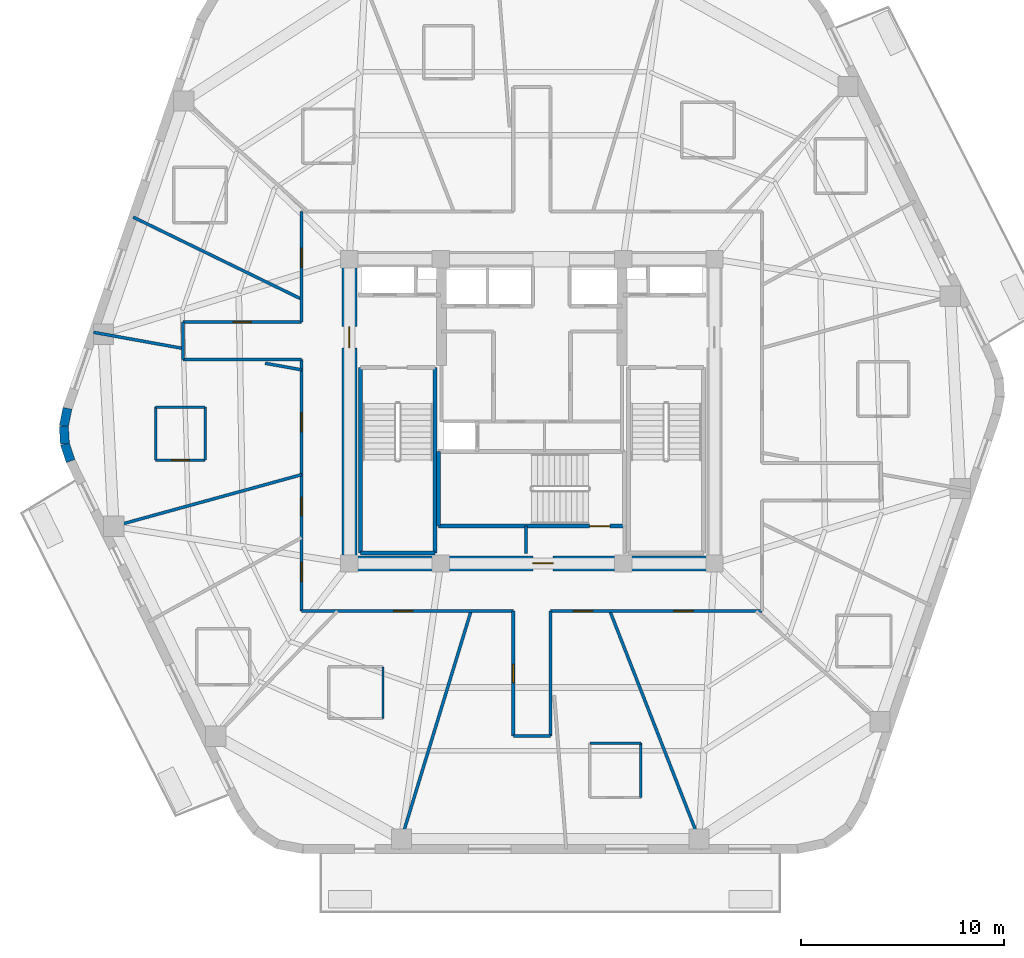
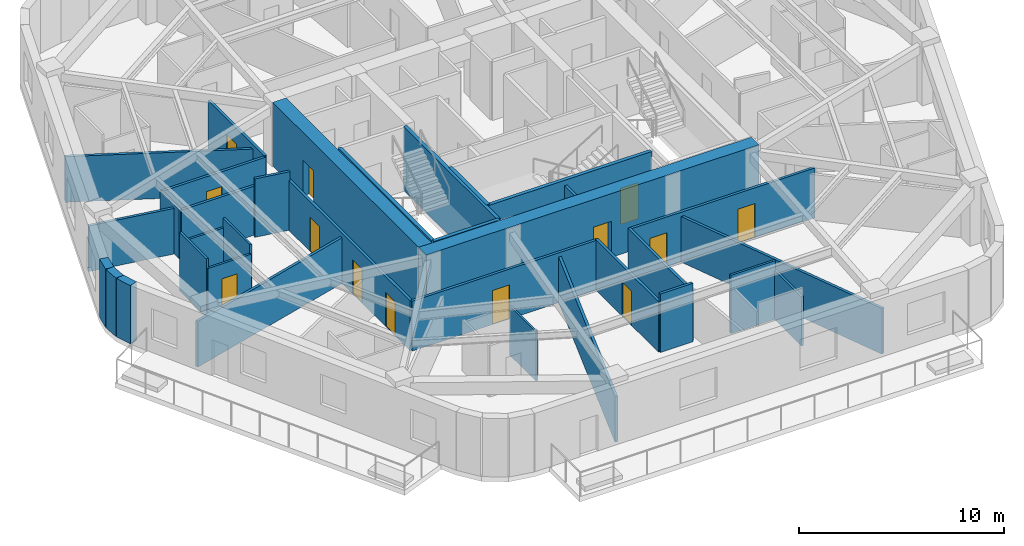
# One storey, part 3 of 10: 34 walls, 13 doors, 13 openings.
"""IFC4 building model written with IfcOpenShell, lengths in metres."""

from ifc_helpers import new_model, si_unit, direction, frame, frame_2d, origin, place, context, subcontext, project, spatial, rectangle, extrude, material, layer, layer_set, type_object, element, fill, save


model = new_model("IFC4")

# Units and contexts
model_context = context("Model", 3, precision=1e-05, world=origin(), true_north=direction((0.0, 1.0)))
body_context = subcontext(model_context, "Body", "Model", "MODEL_VIEW")
ifc_project = project(units=[si_unit("LENGTHUNIT", "METRE"), si_unit("AREAUNIT", "SQUARE_METRE"), si_unit("VOLUMEUNIT", "CUBIC_METRE"), si_unit("PLANEANGLEUNIT", "RADIAN"), si_unit("MASSUNIT", "GRAM", prefix="KILO")], contexts=[model_context])

# Site, building, storey
site_placement = place(None, origin())
site = spatial("IfcSite", under=ifc_project, at=site_placement, CompositionType="ELEMENT")
building_placement = place(site_placement, origin())
building = spatial("IfcBuilding", under=site, at=building_placement, Name="Kilnhurst Terrace Hotel", CompositionType="ELEMENT")
storey_placement = place(building_placement, frame((0.0, 0.0, 252.10009765625)))
storey = spatial("IfcBuildingStorey", under=building, at=storey_placement, Name="L63", CompositionType="ELEMENT", Elevation=252.10009765625)

# Walls
ifc_material_1 = material(Name="Precast concrete C40/50", Category="concrete")
ifc_layer_1 = layer(ifc_material_1, 0.449951171875, Name="Precast concrete C40/50")
ifc_layer_set_1 = layer_set([ifc_layer_1], Name="Precast concrete C40/50")
wall_type_1 = type_object("IfcWallType", Name="WL-BRK-450", PredefinedType="SOLIDWALL", material=ifc_layer_set_1)
wall_1_placement = place(storey_placement, frame((-22.8984375, 0.149658203125, 0.0), z_axis=(0.0, 0.0, 1.0), x_axis=(-0.199055826889, -0.979988151858, 0.0)))
element("IfcWall", 1, at=wall_1_placement, inside=storey, type_object=wall_type_1, Name="L63 Rounded Corner Brick Wall C6.1", PredefinedType="SOLIDWALL", context=body_context, shape_type="SweptSolid", body=[
    extrude(rectangle(XDim=0.89404296875, YDim=0.449951171875, at=frame_2d((0.447021484375, 0.0))), origin(), (0.0, 0.0, 1.0), 3.47998046875),
])
wall_2_placement = place(storey_placement, frame((-23.076416015625, -0.7265625, 0.0), z_axis=(0.0, 0.0, 1.0), x_axis=(0.060805222108, -0.998149650586, 0.0)))
element("IfcWall", 2, at=wall_2_placement, inside=storey, type_object=wall_type_1, Name="L63 Rounded Corner Brick Wall C6.2", PredefinedType="SOLIDWALL", context=body_context, shape_type="SweptSolid", body=[
    extrude(rectangle(XDim=0.87939453125, YDim=0.449951171875, at=frame_2d((0.439697265625, 0.0))), origin(), (0.0, 0.0, 1.0), 3.47998046875),
])
wall_3_placement = place(storey_placement, frame((-23.02294921875, -1.604248046875, 0.0), z_axis=(0.0, 0.0, 1.0), x_axis=(0.316801227695, -0.948491951537, 0.0)))
element("IfcWall", 3, at=wall_3_placement, inside=storey, type_object=wall_type_1, Name="L63 Rounded Corner Brick Wall C6.3", PredefinedType="SOLIDWALL", context=body_context, shape_type="SweptSolid", body=[
    extrude(rectangle(XDim=0.89404296875, YDim=0.449951171875, at=frame_2d((0.447021484375, 0.0))), origin(), (0.0, 0.0, 1.0), 3.47998046875),
])

# Wall, openings, doors
ifc_material_2 = material(Name="Acoustic Double-Gypsum Corridor Partition Assembly")
ifc_layer_2 = layer(ifc_material_2, 0.14990234375, Name="Acoustic Double-Gypsum Corridor Partition Assembly")
ifc_layer_set_2 = layer_set([ifc_layer_2], Name="Acoustic Double-Gypsum Corridor Partition Assembly")
wall_type_2 = type_object("IfcWallType", Name="WL-COR-150", PredefinedType="PARTITIONING", material=ifc_layer_set_2)
wall_4_placement = place(storey_placement, frame((-11.35009765625, -9.85009765625, 0.0), z_axis=(0.0, 0.0, 1.0), x_axis=(0.0, 1.0, 0.0)))
wall_4 = element("IfcWall", 4, at=wall_4_placement, inside=storey, type_object=wall_type_2, Name="L63 Interior Wall WL-L63-COR-01", PredefinedType="PARTITIONING", context=body_context, shape_type="SweptSolid", body=[
    extrude(rectangle(XDim=12.400146484375, YDim=0.14990234375, at=frame_2d((6.2001953125, 0.0))), origin(), (0.0, 0.0, 1.0), 2.969970703125),
])
opening_1_placement = place(wall_4_placement, frame((8.8349609375, 0.0, 0.0)))
opening_1 = element("IfcOpeningElement", 5, at=opening_1_placement, cuts=wall_4, Name="Opening D-60B", PredefinedType="OPENING", context=body_context, shape_type="SweptSolid", body=[
    extrude(rectangle(XDim=0.949951171875, YDim=2.030029296875, at=frame_2d((0.47509765625, 1.01513671875))), frame((0.0, 0.0849609375, 0.0), z_axis=(0.0, -1.0, 0.0), x_axis=(1.0, 0.0, 0.0)), (0.0, 0.0, 1.0), 0.169921875),
])
opening_2_placement = place(wall_4_placement, frame((4.708984375, 0.0, 0.0)))
opening_2 = element("IfcOpeningElement", 6, at=opening_2_placement, cuts=wall_4, Name="Opening D-60C", PredefinedType="OPENING", context=body_context, shape_type="SweptSolid", body=[
    extrude(rectangle(XDim=0.89990234375, YDim=2.030029296875, at=frame_2d((0.449951171875, 1.01513671875))), frame((0.0, 0.0849609375, 0.0), z_axis=(0.0, -1.0, 0.0), x_axis=(1.0, 0.0, 0.0)), (0.0, 0.0, 1.0), 0.169921875),
])
opening_3_placement = place(wall_4_placement, frame((1.45703125, 0.0, 0.0)))
opening_3 = element("IfcOpeningElement", 7, at=opening_3_placement, cuts=wall_4, Name="Opening D-60B", PredefinedType="OPENING", context=body_context, shape_type="SweptSolid", body=[
    extrude(rectangle(XDim=0.949951171875, YDim=2.030029296875, at=frame_2d((0.47509765625, 1.01513671875))), frame((0.0, 0.0849609375, 0.0), z_axis=(0.0, -1.0, 0.0), x_axis=(1.0, 0.0, 0.0)), (0.0, 0.0, 1.0), 0.169921875),
])
ifc_material_3 = material(Name="Painted Solid-Core Service Fire Door")
door_type_1 = type_object("IfcDoorType", Name="DR-FD60-900", OperationType="NOTDEFINED", PredefinedType="DOOR", material=ifc_material_3)
door_1_placement = place(opening_2_placement, origin())
door_1 = element("IfcDoor", 8, at=door_1_placement, inside=storey, type_object=door_type_1, Name="L63 Private Meeting Salon Door 10", OperationType="SINGLE_SWING_RIGHT", OverallHeight=2.030029296875, OverallWidth=0.89990234375, PredefinedType="DOOR", context=body_context, shape_type="SweptSolid", body=[
    extrude(rectangle(XDim=0.89990234375, YDim=2.030029296875, at=frame_2d((0.449951171875, 1.01513671875))), frame((0.0, 0.02490234375, 0.0), z_axis=(0.0, -1.0, 0.0), x_axis=(1.0, 0.0, 0.0)), (0.0, 0.0, 1.0), 0.050048828125),
])
fill(opening_2, door_1)
ifc_material_4 = material(Name="Acoustic Walnut Veneer Solid-Core Fire Door")
door_type_2 = type_object("IfcDoorType", Name="DR-FD60-950", OperationType="NOTDEFINED", PredefinedType="DOOR", material=ifc_material_4)
door_2_placement = place(opening_1_placement, origin())
door_2 = element("IfcDoor", 9, at=door_2_placement, inside=storey, type_object=door_type_2, Name="L63 Executive Suite Entry Door 9", OperationType="SINGLE_SWING_LEFT", OverallHeight=2.030029296875, OverallWidth=0.949951171875, PredefinedType="DOOR", context=body_context, shape_type="SweptSolid", body=[
    extrude(rectangle(XDim=0.949951171875, YDim=2.030029296875, at=frame_2d((0.47509765625, 1.01513671875))), frame((0.0, 0.02490234375, 0.0), z_axis=(0.0, -1.0, 0.0), x_axis=(1.0, 0.0, 0.0)), (0.0, 0.0, 1.0), 0.050048828125),
])
fill(opening_1, door_2)
door_3_placement = place(opening_3_placement, origin())
door_3 = element("IfcDoor", 10, at=door_3_placement, inside=storey, type_object=door_type_2, Name="L63 Guest Room Entry Door 11", OperationType="SINGLE_SWING_LEFT", OverallHeight=2.030029296875, OverallWidth=0.949951171875, PredefinedType="DOOR", context=body_context, shape_type="SweptSolid", body=[
    extrude(rectangle(XDim=0.949951171875, YDim=2.030029296875, at=frame_2d((0.47509765625, 1.01513671875))), frame((0.0, 0.02490234375, 0.0), z_axis=(0.0, -1.0, 0.0), x_axis=(1.0, 0.0, 0.0)), (0.0, 0.0, 1.0), 0.050048828125),
])
fill(opening_3, door_3)

# Walls
wall_5_placement = place(storey_placement, frame((-11.35009765625, 2.550048828125, 0.0), z_axis=(0.0, 0.0, 1.0), x_axis=(-1.0, 0.0, 0.0)))
element("IfcWall", 11, at=wall_5_placement, inside=storey, type_object=wall_type_2, Name="L63 Interior Wall WL-L63-COR-02", PredefinedType="PARTITIONING", context=body_context, shape_type="SweptSolid", body=[
    extrude(rectangle(XDim=5.849853515625, YDim=0.14990234375, at=frame_2d((2.9248046875, 0.0))), origin(), (0.0, 0.0, 1.0), 2.92041015625),
])
wall_6_placement = place(storey_placement, frame((-17.199951171875, 2.550048828125, 0.0), z_axis=(0.0, 0.0, 1.0), x_axis=(0.0, 1.0, 0.0)))
element("IfcWall", 12, at=wall_6_placement, inside=storey, type_object=wall_type_2, Name="L63 Interior Wall WL-L63-COR-03", PredefinedType="PARTITIONING", context=body_context, shape_type="SweptSolid", body=[
    extrude(rectangle(XDim=1.849853515625, YDim=0.14990234375, at=frame_2d((0.9248046875, 0.0))), origin(), (0.0, 0.0, 1.0), 2.92041015625),
])

# Wall, opening, door
wall_7_placement = place(storey_placement, frame((-17.199951171875, 4.39990234375, 0.0), z_axis=(0.0, 0.0, 1.0), x_axis=(1.0, 0.0, 0.0)))
wall_7 = element("IfcWall", 13, at=wall_7_placement, inside=storey, type_object=wall_type_2, Name="L63 Interior Wall WL-L63-COR-04", PredefinedType="PARTITIONING", context=body_context, shape_type="SweptSolid", body=[
    extrude(rectangle(XDim=5.849853515625, YDim=0.14990234375, at=frame_2d((2.9248046875, 0.0))), origin(), (0.0, 0.0, 1.0), 2.92041015625),
])
opening_4_placement = place(wall_7_placement, frame((2.47509765625, 0.0, 0.0)))
opening_4 = element("IfcOpeningElement", 14, at=opening_4_placement, cuts=wall_7, Name="Opening D-60C", PredefinedType="OPENING", context=body_context, shape_type="SweptSolid", body=[
    extrude(rectangle(XDim=0.89990234375, YDim=2.030029296875, at=frame_2d((0.449951171875, 1.01513671875))), frame((0.0, 0.0849609375, 0.0), z_axis=(0.0, -1.0, 0.0), x_axis=(1.0, 0.0, 0.0)), (0.0, 0.0, 1.0), 0.169921875),
])
door_4_placement = place(opening_4_placement, origin())
door_4 = element("IfcDoor", 15, at=door_4_placement, inside=storey, type_object=door_type_1, Name="L63 Botanical Reading Lounge Door 8", OperationType="SINGLE_SWING_RIGHT", OverallHeight=2.030029296875, OverallWidth=0.89990234375, PredefinedType="DOOR", context=body_context, shape_type="SweptSolid", body=[
    extrude(rectangle(XDim=0.89990234375, YDim=2.030029296875, at=frame_2d((0.449951171875, 1.01513671875))), frame((0.0, 0.02490234375, 0.0), z_axis=(0.0, -1.0, 0.0), x_axis=(1.0, 0.0, 0.0)), (0.0, 0.0, 1.0), 0.050048828125),
])
fill(opening_4, door_4)

wall_8_placement = place(storey_placement, frame((-11.35009765625, 4.39990234375, 0.0), z_axis=(0.0, 0.0, 1.0), x_axis=(0.0, 1.0, 0.0)))
wall_8 = element("IfcWall", 16, at=wall_8_placement, inside=storey, type_object=wall_type_2, Name="L63 Interior Wall WL-L63-COR-05", PredefinedType="PARTITIONING", context=body_context, shape_type="SweptSolid", body=[
    extrude(rectangle(XDim=5.4501953125, YDim=0.14990234375, at=frame_2d((2.72509765625, 0.0))), origin(), (0.0, 0.0, 1.0), 2.969970703125),
])
opening_5_placement = place(wall_8_placement, frame((2.694091796875, 0.0, 0.0)))
opening_5 = element("IfcOpeningElement", 17, at=opening_5_placement, cuts=wall_8, Name="Opening D-60B", PredefinedType="OPENING", context=body_context, shape_type="SweptSolid", body=[
    extrude(rectangle(XDim=0.949951171875, YDim=2.030029296875, at=frame_2d((0.47509765625, 1.01513671875))), frame((0.0, 0.0849609375, 0.0), z_axis=(0.0, -1.0, 0.0), x_axis=(1.0, 0.0, 0.0)), (0.0, 0.0, 1.0), 0.169921875),
])
door_5_placement = place(opening_5_placement, origin())
door_5 = element("IfcDoor", 18, at=door_5_placement, inside=storey, type_object=door_type_2, Name="L63 Guest Room Entry Door 7", OperationType="SINGLE_SWING_LEFT", OverallHeight=2.030029296875, OverallWidth=0.949951171875, PredefinedType="DOOR", context=body_context, shape_type="SweptSolid", body=[
    extrude(rectangle(XDim=0.949951171875, YDim=2.030029296875, at=frame_2d((0.47509765625, 1.01513671875))), frame((0.0, 0.02490234375, 0.0), z_axis=(0.0, -1.0, 0.0), x_axis=(1.0, 0.0, 0.0)), (0.0, 0.0, 1.0), 0.050048828125),
])
fill(opening_5, door_5)

# Wall, openings, doors
wall_9_placement = place(storey_placement, frame((11.35009765625, -9.85009765625, 0.0), z_axis=(0.0, 0.0, 1.0), x_axis=(-1.0, 0.0, 0.0)))
wall_9 = element("IfcWall", 19, at=wall_9_placement, inside=storey, type_object=wall_type_2, Name="L63 Interior Wall WL-L63-COR-16", PredefinedType="PARTITIONING", context=body_context, shape_type="SweptSolid", body=[
    extrude(rectangle(XDim=10.43017578125, YDim=0.14990234375, at=frame_2d((5.215087890625, 0.0))), origin(), (0.0, 0.0, 1.0), 2.969970703125),
])
opening_6_placement = place(wall_9_placement, frame((8.362060546875, 0.0, 0.0)))
opening_6 = element("IfcOpeningElement", 20, at=opening_6_placement, cuts=wall_9, Name="Opening D-60B", PredefinedType="OPENING", context=body_context, shape_type="SweptSolid", body=[
    extrude(rectangle(XDim=0.949951171875, YDim=2.030029296875, at=frame_2d((0.47509765625, 1.01513671875))), frame((0.0, 0.0849609375, 0.0), z_axis=(0.0, -1.0, 0.0), x_axis=(1.0, 0.0, 0.0)), (0.0, 0.0, 1.0), 0.169921875),
])
opening_7_placement = place(wall_9_placement, frame((3.39599609375, 0.0, 0.0)))
opening_7 = element("IfcOpeningElement", 21, at=opening_7_placement, cuts=wall_9, Name="Opening D-60B", PredefinedType="OPENING", context=body_context, shape_type="SweptSolid", body=[
    extrude(rectangle(XDim=0.949951171875, YDim=2.030029296875, at=frame_2d((0.47509765625, 1.01513671875))), frame((0.0, 0.0849609375, 0.0), z_axis=(0.0, -1.0, 0.0), x_axis=(1.0, 0.0, 0.0)), (0.0, 0.0, 1.0), 0.169921875),
])
door_6_placement = place(opening_6_placement, origin())
door_6 = element("IfcDoor", 22, at=door_6_placement, inside=storey, type_object=door_type_2, Name="L63 Guest Room Entry Door 14", OperationType="SINGLE_SWING_RIGHT", OverallHeight=2.030029296875, OverallWidth=0.949951171875, PredefinedType="DOOR", context=body_context, shape_type="SweptSolid", body=[
    extrude(rectangle(XDim=0.949951171875, YDim=2.030029296875, at=frame_2d((0.47509765625, 1.01513671875))), frame((0.0, 0.02490234375, 0.0), z_axis=(0.0, -1.0, 0.0), x_axis=(1.0, 0.0, 0.0)), (0.0, 0.0, 1.0), 0.050048828125),
])
fill(opening_6, door_6)
door_7_placement = place(opening_7_placement, origin())
door_7 = element("IfcDoor", 23, at=door_7_placement, inside=storey, type_object=door_type_2, Name="L63 Private Dining Salon Door", OperationType="SINGLE_SWING_LEFT", OverallHeight=2.030029296875, OverallWidth=0.949951171875, PredefinedType="DOOR", context=body_context, shape_type="SweptSolid", body=[
    extrude(rectangle(XDim=0.949951171875, YDim=2.030029296875, at=frame_2d((0.47509765625, 1.01513671875))), frame((0.0, 0.02490234375, 0.0), z_axis=(0.0, -1.0, 0.0), x_axis=(1.0, 0.0, 0.0)), (0.0, 0.0, 1.0), 0.050048828125),
])
fill(opening_7, door_7)

# Walls
wall_10_placement = place(storey_placement, frame((0.919921875, -9.85009765625, 0.0), z_axis=(0.0, 0.0, 1.0), x_axis=(0.0, -1.0, 0.0)))
element("IfcWall", 24, at=wall_10_placement, inside=storey, type_object=wall_type_2, Name="L63 Interior Wall WL-L63-COR-17", PredefinedType="PARTITIONING", context=body_context, shape_type="SweptSolid", body=[
    extrude(rectangle(XDim=6.14990234375, YDim=0.14990234375, at=frame_2d((3.074951171875, 0.0))), origin(), (0.0, 0.0, 1.0), 3.00634765625),
])
wall_11_placement = place(storey_placement, frame((0.919921875, -16.0, 0.0), z_axis=(0.0, 0.0, 1.0), x_axis=(-1.0, 0.0, 0.0)))
element("IfcWall", 25, at=wall_11_placement, inside=storey, type_object=wall_type_2, Name="L63 Interior Wall WL-L63-COR-18", PredefinedType="PARTITIONING", context=body_context, shape_type="SweptSolid", body=[
    extrude(rectangle(XDim=1.83984375, YDim=0.14990234375, at=frame_2d((0.919921875, 0.0))), origin(), (0.0, 0.0, 1.0), 3.47998046875),
])

# Wall, opening, door
wall_12_placement = place(storey_placement, frame((-0.919921875, -16.0, 0.0), z_axis=(0.0, 0.0, 1.0), x_axis=(0.0, 1.0, 0.0)))
wall_12 = element("IfcWall", 26, at=wall_12_placement, inside=storey, type_object=wall_type_2, Name="L63 Interior Wall WL-L63-COR-19", PredefinedType="PARTITIONING", context=body_context, shape_type="SweptSolid", body=[
    extrude(rectangle(XDim=6.14990234375, YDim=0.14990234375, at=frame_2d((3.074951171875, 0.0))), origin(), (0.0, 0.0, 1.0), 3.00634765625),
])
opening_8_placement = place(wall_12_placement, frame((2.625, 0.0, 0.0)))
opening_8 = element("IfcOpeningElement", 27, at=opening_8_placement, cuts=wall_12, Name="Opening D-60C", PredefinedType="OPENING", context=body_context, shape_type="SweptSolid", body=[
    extrude(rectangle(XDim=0.89990234375, YDim=2.030029296875, at=frame_2d((0.449951171875, 1.01513671875))), frame((0.0, 0.0849609375, 0.0), z_axis=(0.0, -1.0, 0.0), x_axis=(1.0, 0.0, 0.0)), (0.0, 0.0, 1.0), 0.169921875),
])
door_8_placement = place(opening_8_placement, origin())
door_8 = element("IfcDoor", 28, at=door_8_placement, inside=storey, type_object=door_type_1, Name="L63 Wellness Consultation Room Door 13", OperationType="SINGLE_SWING_LEFT", OverallHeight=2.030029296875, OverallWidth=0.89990234375, PredefinedType="DOOR", context=body_context, shape_type="SweptSolid", body=[
    extrude(rectangle(XDim=0.89990234375, YDim=2.030029296875, at=frame_2d((0.449951171875, 1.01513671875))), frame((0.0, 0.02490234375, 0.0), z_axis=(0.0, -1.0, 0.0), x_axis=(1.0, 0.0, 0.0)), (0.0, 0.0, 1.0), 0.050048828125),
])
fill(opening_8, door_8)

wall_13_placement = place(storey_placement, frame((-0.919921875, -9.85009765625, 0.0), z_axis=(0.0, 0.0, 1.0), x_axis=(-1.0, 0.0, 0.0)))
wall_13 = element("IfcWall", 29, at=wall_13_placement, inside=storey, type_object=wall_type_2, Name="L63 Interior Wall WL-L63-COR-20", PredefinedType="PARTITIONING", context=body_context, shape_type="SweptSolid", body=[
    extrude(rectangle(XDim=10.43017578125, YDim=0.14990234375, at=frame_2d((5.215087890625, 0.0))), origin(), (0.0, 0.0, 1.0), 2.969970703125),
])
opening_9_placement = place(wall_13_placement, frame((4.948974609375, 0.0, 0.0)))
opening_9 = element("IfcOpeningElement", 30, at=opening_9_placement, cuts=wall_13, Name="Opening D-60B", PredefinedType="OPENING", context=body_context, shape_type="SweptSolid", body=[
    extrude(rectangle(XDim=0.949951171875, YDim=2.030029296875, at=frame_2d((0.47509765625, 1.01513671875))), frame((0.0, 0.0849609375, 0.0), z_axis=(0.0, -1.0, 0.0), x_axis=(1.0, 0.0, 0.0)), (0.0, 0.0, 1.0), 0.169921875),
])
door_9_placement = place(opening_9_placement, origin())
door_9 = element("IfcDoor", 31, at=door_9_placement, inside=storey, type_object=door_type_2, Name="L63 Executive Suite Entry Door 12", OperationType="SINGLE_SWING_RIGHT", OverallHeight=2.030029296875, OverallWidth=0.949951171875, PredefinedType="DOOR", context=body_context, shape_type="SweptSolid", body=[
    extrude(rectangle(XDim=0.949951171875, YDim=2.030029296875, at=frame_2d((0.47509765625, 1.01513671875))), frame((0.0, 0.02490234375, 0.0), z_axis=(0.0, -1.0, 0.0), x_axis=(1.0, 0.0, 0.0)), (0.0, 0.0, 1.0), 0.050048828125),
])
fill(opening_9, door_9)

ifc_material_5 = material(Name="Concrete C60/75", Category="concrete")
ifc_layer_3 = layer(ifc_material_5, 0.75, Name="Concrete C60/75")
ifc_layer_set_3 = layer_set([ifc_layer_3], Name="Concrete C60/75")
wall_type_3 = type_object("IfcWallType", Name="WL-CORE-750", PredefinedType="SHEAR", material=ifc_layer_set_3)
wall_14_placement = place(storey_placement, frame((-9.375, -7.5, 0.0), z_axis=(0.0, 0.0, 1.0), x_axis=(1.0, 0.0, 0.0)))
wall_14 = element("IfcWall", 32, at=wall_14_placement, inside=storey, type_object=wall_type_3, Name="L63 Core South Shear Wall", PredefinedType="SHEAR", context=body_context, shape_type="SweptSolid", body=[
    extrude(rectangle(XDim=18.75, YDim=0.75, at=frame_2d((9.375, 0.0))), origin(), (0.0, 0.0, 1.0), 3.7998046875),
])
opening_10_placement = place(wall_14_placement, frame((9.425048828125, 0.0, 0.0)))
opening_10 = element("IfcOpeningElement", 33, at=opening_10_placement, cuts=wall_14, Name="Opening D-90B", PredefinedType="OPENING", context=body_context, shape_type="SweptSolid", body=[
    extrude(rectangle(XDim=1.0, YDim=2.14990234375, at=frame_2d((0.5, 1.074951171875))), frame((0.0, 0.385009765625, 0.0), z_axis=(0.0, -1.0, 0.0), x_axis=(1.0, 0.0, 0.0)), (0.0, 0.0, 1.0), 0.77001953125),
])
ifc_material_6 = material(Name="Painted Hollow Metal Steel ASTM A36 Fire Door", Category="steel")
door_type_3 = type_object("IfcDoorType", Name="DR-FD90-1000", OperationType="NOTDEFINED", PredefinedType="DOOR", material=ifc_material_6)
door_10_placement = place(opening_10_placement, origin())
door_10 = element("IfcDoor", 34, at=door_10_placement, inside=storey, type_object=door_type_3, Name="L63 Stair ST-3 Corridor Door", OperationType="SINGLE_SWING_RIGHT", OverallHeight=2.14990234375, OverallWidth=1.0, PredefinedType="DOOR", context=body_context, shape_type="SweptSolid", body=[
    extrude(rectangle(XDim=1.0, YDim=2.14990234375, at=frame_2d((0.5, 1.074951171875))), frame((0.0, 0.02490234375, 0.0), z_axis=(0.0, -1.0, 0.0), x_axis=(1.0, 0.0, 0.0)), (0.0, 0.0, 1.0), 0.050048828125),
])
fill(opening_10, door_10)

wall_15_placement = place(storey_placement, frame((-9.0, -7.125, 0.0), z_axis=(0.0, 0.0, 1.0), x_axis=(0.0, 1.0, 0.0)))
wall_15 = element("IfcWall", 35, at=wall_15_placement, inside=storey, type_object=wall_type_3, Name="L63 Core West Shear Wall", PredefinedType="SHEAR", context=body_context, shape_type="SweptSolid", body=[
    extrude(rectangle(XDim=14.25, YDim=0.75, at=frame_2d((7.125, 0.0))), origin(), (0.0, 0.0, 1.0), 3.7998046875),
])
opening_11_placement = place(wall_15_placement, frame((10.25, 0.0, 0.0)))
opening_11 = element("IfcOpeningElement", 36, at=opening_11_placement, cuts=wall_15, Name="Opening D-90A", PredefinedType="OPENING", context=body_context, shape_type="SweptSolid", body=[
    extrude(rectangle(XDim=1.050048828125, YDim=2.14990234375, at=frame_2d((0.52490234375, 1.074951171875))), frame((0.0, 0.385009765625, 0.0), z_axis=(0.0, -1.0, 0.0), x_axis=(1.0, 0.0, 0.0)), (0.0, 0.0, 1.0), 0.77001953125),
])
door_type_4 = type_object("IfcDoorType", Name="DR-FD90-1050", OperationType="NOTDEFINED", PredefinedType="DOOR", material=ifc_material_6)
door_11_placement = place(opening_11_placement, origin())
door_11 = element("IfcDoor", 37, at=door_11_placement, inside=storey, type_object=door_type_4, Name="L63 West Firefighting Lobby Door", OperationType="SINGLE_SWING_RIGHT", OverallHeight=2.14990234375, OverallWidth=1.050048828125, PredefinedType="DOOR", context=body_context, shape_type="SweptSolid", body=[
    extrude(rectangle(XDim=1.050048828125, YDim=2.14990234375, at=frame_2d((0.52490234375, 1.074951171875))), frame((0.0, 0.02490234375, 0.0), z_axis=(0.0, -1.0, 0.0), x_axis=(1.0, 0.0, 0.0)), (0.0, 0.0, 1.0), 0.050048828125),
])
fill(opening_11, door_11)

# Walls
ifc_material_7 = material(Name="STC-58 Acoustic Twin-Frame Guestroom Demising Partition")
ifc_layer_4 = layer(ifc_material_7, 0.14990234375, Name="STC-58 Acoustic Twin-Frame Guestroom Demising Partition")
ifc_layer_set_4 = layer_set([ifc_layer_4], Name="STC-58 Acoustic Twin-Frame Guestroom Demising Partition")
wall_type_4 = type_object("IfcWallType", Name="WL-DEM-150", PredefinedType="PARTITIONING", material=ifc_layer_set_4)
wall_16_placement = place(storey_placement, frame((-11.35009765625, 5.528076171875, 0.0), z_axis=(0.0, 0.0, 1.0), x_axis=(-0.899038669565, 0.437869239188, 0.0)))
element("IfcWall", 38, at=wall_16_placement, inside=storey, type_object=wall_type_4, Name="L63 Interior Wall WL-L63-DEM-MID05-08-1", PredefinedType="PARTITIONING", context=body_context, shape_type="SweptSolid", body=[
    extrude(rectangle(XDim=9.24169921875, YDim=0.14990234375, at=frame_2d((4.620849609375, 0.0))), origin(), (0.0, 0.0, 1.0), 2.719970703125),
])
wall_17_placement = place(storey_placement, frame((-11.35009765625, 2.046142578125, 0.0), z_axis=(0.0, 0.0, 1.0), x_axis=(-0.984127783205, 0.177461281195, 0.0)))
element("IfcWall", 39, at=wall_17_placement, inside=storey, type_object=wall_type_4, Name="L63 Interior Wall WL-L63-DEM-COL06-09-1", PredefinedType="PARTITIONING", context=body_context, shape_type="SweptSolid", body=[
    extrude(rectangle(XDim=1.82568359375, YDim=0.14990234375, at=frame_2d((0.912841796875, 0.0))), origin(), (0.0, 0.0, 1.0), 3.47998046875),
])
wall_18_placement = place(storey_placement, frame((-17.199951171875, 3.1005859375, 0.0), z_axis=(0.0, 0.0, 1.0), x_axis=(-0.98413465883, 0.177423147559, 0.0)))
element("IfcWall", 40, at=wall_18_placement, inside=storey, type_object=wall_type_4, Name="L63 Interior Wall WL-L63-DEM-COL06-09-2", PredefinedType="PARTITIONING", context=body_context, shape_type="SweptSolid", body=[
    extrude(rectangle(XDim=4.481689453125, YDim=0.14990234375, at=frame_2d((2.24072265625, 0.0))), origin(), (0.0, 0.0, 1.0), 2.719970703125),
])
wall_19_placement = place(storey_placement, frame((-11.35009765625, -3.12060546875, 0.0), z_axis=(0.0, 0.0, 1.0), x_axis=(-0.964212793822, -0.265129568758, 0.0)))
element("IfcWall", 41, at=wall_19_placement, inside=storey, type_object=wall_type_4, Name="L63 Interior Wall WL-L63-DEM-COL07-10-1", PredefinedType="PARTITIONING", context=body_context, shape_type="SweptSolid", body=[
    extrude(rectangle(XDim=10.119873046875, YDim=0.14990234375, at=frame_2d((5.06005859375, 0.0))), origin(), (0.0, 0.0, 1.0), 2.719970703125),
])
wall_20_placement = place(storey_placement, frame((-3.00439453125, -9.85009765625, 0.0), z_axis=(0.0, 0.0, 1.0), x_axis=(-0.291775760688, -0.956486751333, 0.0)))
element("IfcWall", 42, at=wall_20_placement, inside=storey, type_object=wall_type_4, Name="L63 Interior Wall WL-L63-DEM-COL09-13-1", PredefinedType="PARTITIONING", context=body_context, shape_type="SweptSolid", body=[
    extrude(rectangle(XDim=12.25830078125, YDim=0.14990234375, at=frame_2d((6.129150390625, 0.0))), origin(), (0.0, 0.0, 1.0), 2.719970703125),
])
wall_21_placement = place(storey_placement, frame((3.848388671875, -9.85009765625, 0.0), z_axis=(0.0, 0.0, 1.0), x_axis=(0.363921778212, -0.931429513889, 0.0)))
element("IfcWall", 43, at=wall_21_placement, inside=storey, type_object=wall_type_4, Name="L63 Interior Wall WL-L63-DEM-COL10-15-1", PredefinedType="PARTITIONING", context=body_context, shape_type="SweptSolid", body=[
    extrude(rectangle(XDim=12.588134765625, YDim=0.14990234375, at=frame_2d((6.2939453125, 0.0))), origin(), (0.0, 0.0, 1.0), 2.719970703125),
])

# Wall, opening, door
ifc_material_8 = material(Name="120 mm Moisture-Resistant Tile-Backed Bathroom Partition")
ifc_layer_5 = layer(ifc_material_8, 0.1201171875, Name="120 mm Moisture-Resistant Tile-Backed Bathroom Partition")
ifc_layer_set_5 = layer_set([ifc_layer_5], Name="120 mm Moisture-Resistant Tile-Backed Bathroom Partition")
wall_type_5 = type_object("IfcWallType", Name="WL-PART-120", PredefinedType="PARTITIONING", material=ifc_layer_set_5)
wall_22_placement = place(storey_placement, frame((-18.5458984375, -2.406005859375, 0.0), z_axis=(0.0, 0.0, 1.0), x_axis=(1.0, 0.0, 0.0)))
wall_22 = element("IfcWall", 44, at=wall_22_placement, inside=storey, type_object=wall_type_5, Name="L63 Interior Wall WL-L63-BTH-09-1", PredefinedType="PARTITIONING", context=body_context, shape_type="SweptSolid", body=[
    extrude(rectangle(XDim=2.43994140625, YDim=0.1201171875, at=frame_2d((1.219970703125, 0.0))), origin(), (0.0, 0.0, 1.0), 2.92041015625),
])
opening_12_placement = place(wall_22_placement, frame((0.794921875, 0.0, 0.0)))
opening_12 = element("IfcOpeningElement", 45, at=opening_12_placement, cuts=wall_22, Name="Opening D-08A", PredefinedType="OPENING", context=body_context, shape_type="SweptSolid", body=[
    extrude(rectangle(XDim=0.85009765625, YDim=2.030029296875, at=frame_2d((0.425048828125, 1.01513671875))), frame((0.0, 0.070068359375, 0.0), z_axis=(0.0, -1.0, 0.0), x_axis=(1.0, 0.0, 0.0)), (0.0, 0.0, 1.0), 0.14013671875),
])
ifc_material_9 = material(Name="Moisture-Resistant Lacquered En-suite Bathroom Door")
door_type_5 = type_object("IfcDoorType", Name="DR-INT-850", OperationType="NOTDEFINED", PredefinedType="DOOR", material=ifc_material_9)
door_12_placement = place(opening_12_placement, origin())
door_12 = element("IfcDoor", 46, at=door_12_placement, inside=storey, type_object=door_type_5, Name="L63 En-suite Bathroom Door 9", OperationType="SINGLE_SWING_RIGHT", OverallHeight=2.030029296875, OverallWidth=0.85009765625, PredefinedType="DOOR", context=body_context, shape_type="SweptSolid", body=[
    extrude(rectangle(XDim=0.85009765625, YDim=2.030029296875, at=frame_2d((0.425048828125, 1.01513671875))), frame((0.0, 0.02490234375, 0.0), z_axis=(0.0, -1.0, 0.0), x_axis=(1.0, 0.0, 0.0)), (0.0, 0.0, 1.0), 0.050048828125),
])
fill(opening_12, door_12)

# Walls
wall_23_placement = place(storey_placement, frame((-16.10595703125, -2.406005859375, 0.0), z_axis=(0.0, 0.0, 1.0), x_axis=(0.0, 1.0, 0.0)))
element("IfcWall", 47, at=wall_23_placement, inside=storey, type_object=wall_type_5, Name="L63 Interior Wall WL-L63-BTH-09-2", PredefinedType="PARTITIONING", context=body_context, shape_type="SweptSolid", body=[
    extrude(rectangle(XDim=2.610107421875, YDim=0.1201171875, at=frame_2d((1.30517578125, 0.0))), origin(), (0.0, 0.0, 1.0), 3.47998046875),
])
wall_24_placement = place(storey_placement, frame((-16.10595703125, 0.2041015625, 0.0), z_axis=(0.0, 0.0, 1.0), x_axis=(-1.0, 0.0, 0.0)))
element("IfcWall", 48, at=wall_24_placement, inside=storey, type_object=wall_type_5, Name="L63 Interior Wall WL-L63-BTH-09-3", PredefinedType="PARTITIONING", context=body_context, shape_type="SweptSolid", body=[
    extrude(rectangle(XDim=2.43994140625, YDim=0.1201171875, at=frame_2d((1.219970703125, 0.0))), origin(), (0.0, 0.0, 1.0), 2.92041015625),
])
wall_25_placement = place(storey_placement, frame((-18.5458984375, 0.2041015625, 0.0), z_axis=(0.0, 0.0, 1.0), x_axis=(0.0, -1.0, 0.0)))
element("IfcWall", 49, at=wall_25_placement, inside=storey, type_object=wall_type_5, Name="L63 Interior Wall WL-L63-BTH-09-4", PredefinedType="PARTITIONING", context=body_context, shape_type="SweptSolid", body=[
    extrude(rectangle(XDim=2.610107421875, YDim=0.1201171875, at=frame_2d((1.30517578125, 0.0))), origin(), (0.0, 0.0, 1.0), 3.47998046875),
])
wall_26_placement = place(storey_placement, frame((-7.343017578125, -15.14208984375, 0.0), z_axis=(0.0, 0.0, 1.0), x_axis=(0.0, 1.0, 0.0)))
element("IfcWall", 50, at=wall_26_placement, inside=storey, type_object=wall_type_5, Name="L63 Interior Wall WL-L63-BTH-12-2", PredefinedType="PARTITIONING", context=body_context, shape_type="SweptSolid", body=[
    extrude(rectangle(XDim=2.5400390625, YDim=0.1201171875, at=frame_2d((1.27001953125, 0.0))), origin(), (0.0, 0.0, 1.0), 2.92041015625),
])
wall_27_placement = place(storey_placement, frame((5.3740234375, -19.037109375, 0.0), z_axis=(0.0, 0.0, 1.0), x_axis=(0.0, 1.0, 0.0)))
element("IfcWall", 51, at=wall_27_placement, inside=storey, type_object=wall_type_5, Name="L63 Interior Wall WL-L63-BTH-14-2", PredefinedType="PARTITIONING", context=body_context, shape_type="SweptSolid", body=[
    extrude(rectangle(XDim=2.68017578125, YDim=0.1201171875, at=frame_2d((1.340087890625, 0.0))), origin(), (0.0, 0.0, 1.0), 2.92041015625),
])
wall_28_placement = place(storey_placement, frame((5.3740234375, -16.35693359375, 0.0), z_axis=(0.0, 0.0, 1.0), x_axis=(-1.0, 0.0, 0.0)))
element("IfcWall", 52, at=wall_28_placement, inside=storey, type_object=wall_type_5, Name="L63 Interior Wall WL-L63-BTH-14-3", PredefinedType="PARTITIONING", context=body_context, shape_type="SweptSolid", body=[
    extrude(rectangle(XDim=2.52001953125, YDim=0.1201171875, at=frame_2d((1.260009765625, 0.0))), origin(), (0.0, 0.0, 1.0), 3.47998046875),
])
ifc_material_10 = material(Name="Fire-Rated Gypsum Shaftliner Assembly")
ifc_layer_6 = layer(ifc_material_10, 0.14990234375, Name="Fire-Rated Gypsum Shaftliner Assembly")
ifc_layer_set_6 = layer_set([ifc_layer_6], Name="Fire-Rated Gypsum Shaftliner Assembly")
wall_type_6 = type_object("IfcWallType", Name="WL-SHAFT-150", PredefinedType="PARTITIONING", material=ifc_layer_set_6)
wall_29_placement = place(storey_placement, frame((-0.300048828125, -7.02001953125, 0.0), z_axis=(0.0, 0.0, 1.0), x_axis=(0.0, 1.0, 0.0)))
element("IfcWall", 53, at=wall_29_placement, inside=storey, type_object=wall_type_6, Name="L63 Interior Wall WL-L63-ST3-PSGW", PredefinedType="PARTITIONING", context=body_context, shape_type="SweptSolid", body=[
    extrude(rectangle(XDim=1.362060546875, YDim=0.14990234375, at=frame_2d((0.68115234375, 0.0))), origin(), (0.0, 0.0, 1.0), 3.47998046875),
])
ifc_material_11 = material(Name="Concrete C50/60", Category="concrete")
ifc_layer_7 = layer(ifc_material_11, 0.199951171875, Name="Concrete C50/60")
ifc_layer_set_7 = layer_set([ifc_layer_7], Name="Concrete C50/60")
wall_type_7 = type_object("IfcWallType", Name="WL-STAIR-RC-200", PredefinedType="SHEAR", material=ifc_layer_set_7)
for number, where, z_axis, x_axis, name in (
    (54, (-8.4580078125, -6.985107421875, 0.0), (0.0, 0.0, 1.0), (0.0, 1.0, 0.0), "L63 Structural Stair Shaft Wall WL-L63-ST1-W"),
    (55, (-4.77197265625, -6.985107421875, 0.0), (0.0, 0.0, 1.0), (0.0, 1.0, 0.0), "L63 Structural Stair Shaft Wall WL-L63-ST1-E"),
):
    element("IfcWall", number, at=place(storey_placement, frame(where, z_axis=z_axis, x_axis=x_axis)), inside=storey, type_object=wall_type_7, Name=name, PredefinedType="SHEAR", context=body_context, shape_type="SweptSolid", body=[
        extrude(rectangle(XDim=9.14306640625, YDim=0.199951171875, at=frame_2d((4.571533203125, 0.0))), origin(), (0.0, 0.0, 1.0), 3.7998046875),
    ])
for number, where, z_axis, x_axis, name in (
    (56, (-8.4580078125, -6.985107421875, 0.0), (0.0, 0.0, 1.0), (1.0, 0.0, 0.0), "L63 Structural Stair Shaft Wall WL-L63-ST1-S"),
    (57, (-4.60791015625, -5.657958984375, 0.0), (0.0, 0.0, 1.0), (0.0, 1.0, 0.0), "L63 Structural Stair Shaft Wall WL-L63-ST3-W"),
):
    element("IfcWall", number, at=place(storey_placement, frame(where, z_axis=z_axis, x_axis=x_axis)), inside=storey, type_object=wall_type_7, Name=name, PredefinedType="SHEAR", context=body_context, shape_type="SweptSolid", body=[
        extrude(rectangle(XDim=3.68603515625, YDim=0.199951171875, at=frame_2d((1.843017578125, 0.0))), origin(), (0.0, 0.0, 1.0), 3.7998046875),
    ])

# Wall, opening, door
wall_30_placement = place(storey_placement, frame((-4.60791015625, -5.657958984375, 0.0), z_axis=(0.0, 0.0, 1.0), x_axis=(1.0, 0.0, 0.0)))
wall_30 = element("IfcWall", 58, at=wall_30_placement, inside=storey, type_object=wall_type_7, Name="L63 Structural Stair Shaft Wall WL-L63-ST3-S", PredefinedType="SHEAR", context=body_context, shape_type="SweptSolid", body=[
    extrude(rectangle(XDim=9.166015625, YDim=0.199951171875, at=frame_2d((4.5830078125, 0.0))), origin(), (0.0, 0.0, 1.0), 3.7998046875),
])
opening_13_placement = place(wall_30_placement, frame((7.449951171875, 0.0, 0.0)))
opening_13 = element("IfcOpeningElement", 59, at=opening_13_placement, cuts=wall_30, Name="Opening D-90B", PredefinedType="OPENING", context=body_context, shape_type="SweptSolid", body=[
    extrude(rectangle(XDim=1.0, YDim=2.14990234375, at=frame_2d((0.5, 1.074951171875))), frame((0.0, 0.10986328125, 0.0), z_axis=(0.0, -1.0, 0.0), x_axis=(1.0, 0.0, 0.0)), (0.0, 0.0, 1.0), 0.219970703125),
])
door_13_placement = place(opening_13_placement, origin())
door_13 = element("IfcDoor", 60, at=door_13_placement, inside=storey, type_object=door_type_3, Name="L63 Stair ST-3 Shaft Door", OperationType="SINGLE_SWING_LEFT", OverallHeight=2.14990234375, OverallWidth=1.0, PredefinedType="DOOR", context=body_context, shape_type="SweptSolid", body=[
    extrude(rectangle(XDim=1.0, YDim=2.14990234375, at=frame_2d((0.5, 1.074951171875))), frame((0.0, 0.02490234375, 0.0), z_axis=(0.0, -1.0, 0.0), x_axis=(1.0, 0.0, 0.0)), (0.0, 0.0, 1.0), 0.050048828125),
])
fill(opening_13, door_13)

save(model, "model.ifc")
